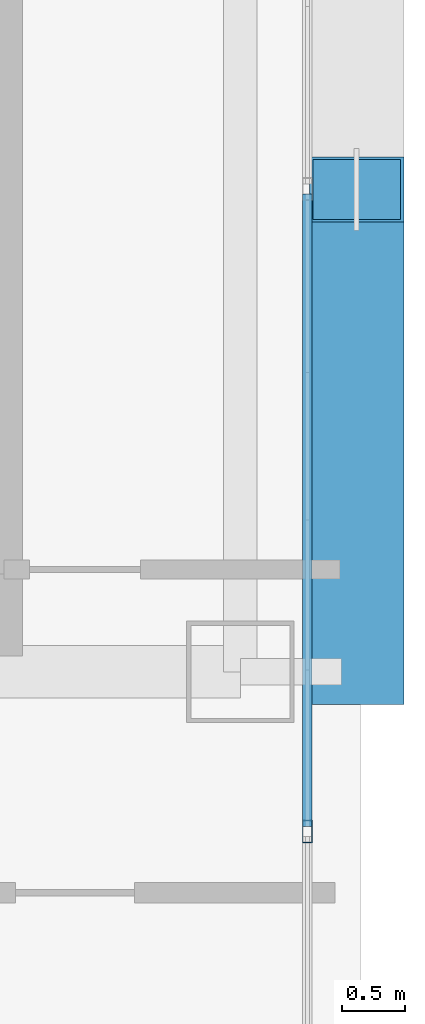
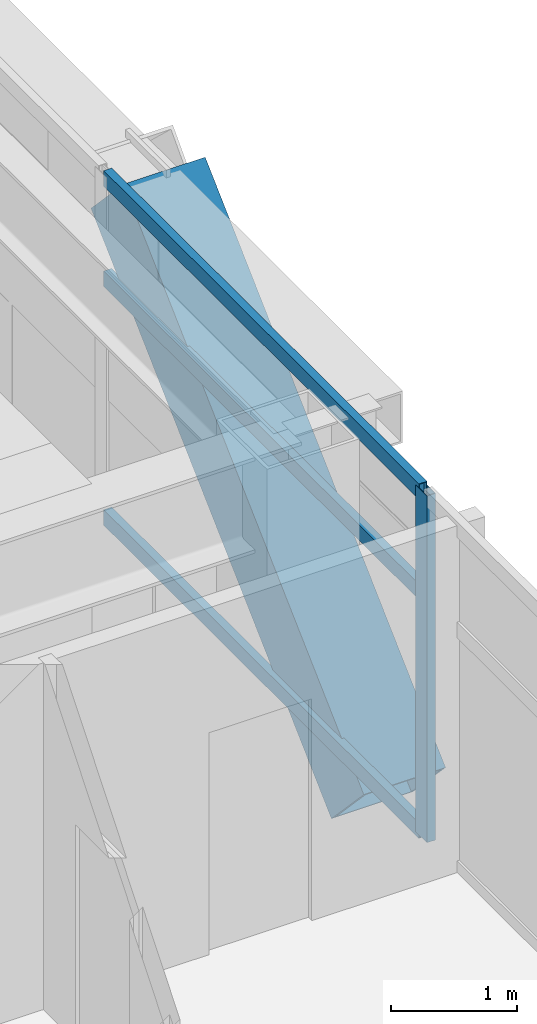
# One storey, part 14 of 39: 5 members, 1 element without a shape of its own.
"""IFC4 building model written with IfcOpenShell, lengths in metres."""

from ifc_helpers import new_model, si_unit, direction, frame, origin, origin_2d, place, context, subcontext, project, spatial, hollow_rectangle, extrude, source, transform, mapped, material, layer, layer_set, material_profile, profile_set, type_object, element, aggregate, save


model = new_model("IFC4")

# Units and contexts
model_context = context("Model", 3, precision=1e-05, world=origin(), true_north=direction((0.0, 1.0)))
body_context = subcontext(model_context, "Body", "Model", "MODEL_VIEW")
ifc_project = project(units=[si_unit("LENGTHUNIT", "METRE"), si_unit("AREAUNIT", "SQUARE_METRE"), si_unit("VOLUMEUNIT", "CUBIC_METRE"), si_unit("PLANEANGLEUNIT", "RADIAN"), si_unit("MASSUNIT", "GRAM", prefix="KILO")], contexts=[model_context])

# Site, building, storey
site_placement = place(None, origin())
site = spatial("IfcSite", under=ifc_project, at=site_placement, CompositionType="ELEMENT")
building_placement = place(site_placement, origin())
building = spatial("IfcBuilding", under=site, at=building_placement, Name="Ocotamira Hotel", CompositionType="ELEMENT")
storey_placement = place(building_placement, frame((0.0, 0.0, 126.0)))
storey = spatial("IfcBuildingStorey", under=building, at=storey_placement, Name="L31", CompositionType="ELEMENT", Elevation=126.0)

# Member
ifc_material_1 = material(Name="Pale-metal coated steel ASTM A913 Grade 65", Category="steel")
ifc_material_profile_1 = material_profile(ifc_material_1, hollow_rectangle(XDim=0.75, YDim=0.75, WallThickness=0.028076171875, at=origin_2d()), Name="BOX750X750X28")
ifc_profile_set_1 = profile_set([ifc_material_profile_1], Name="Pale-metal coated steel ASTM A913 Grade 65")
member_type_1 = type_object("IfcMemberType", Name="MEM-EXO-BOX750", PredefinedType="BRACE", material=ifc_profile_set_1)
shared_shape_1 = source(origin(), body_context, "Body", "SweptSolid", [
    extrude(hollow_rectangle(XDim=0.75, YDim=0.75, WallThickness=0.028076171875, at=origin_2d()), origin(), (0.0, 0.0, 1.0), 5.24658203125),
])
member_1_placement = place(storey_placement, frame((55.969970703125, 14.550048828125, -0.489990234375), z_axis=(0.0, 0.727442733726, 0.686168397078), x_axis=(-1.0, 0.0, 0.0)))
element("IfcMember", 1, at=member_1_placement, inside=storey, type_object=member_type_1, Name="L31 Exoskeleton Diagrid E0.1", PredefinedType="BRACE", context=body_context, shape_type="MappedRepresentation", body=[
    mapped(shared_shape_1, transform((0.0, 0.0, 0.0), scale=1.0)),
])

# Curtain wall, members
ifc_material_2 = material(Name="Anodised pale-metal aluminium and solar glass", Category="aluminium")
ifc_layer = layer(ifc_material_2, 0.179931640625)
ifc_layer_set = layer_set([ifc_layer], Name="Anodised pale-metal aluminium and solar glass")
curtain_wall_type = type_object("IfcCurtainWallType", Name="CW-SYS3-Z2", PredefinedType="NOTDEFINED", material=ifc_layer_set)
curtain_wall_placement = place(storey_placement, origin())
curtain_wall = element("IfcCurtainWall", 2, at=curtain_wall_placement, inside=storey, type_object=curtain_wall_type, Name="L31 Curtain Wall CW-3 CW-L31-E", PredefinedType="NOTDEFINED")
ifc_material_3 = material(Name="Anodised pale-metal aluminium 6063-T6", Category="aluminium")
ifc_material_profile_2 = material_profile(ifc_material_3, hollow_rectangle(XDim=0.074951171875, YDim=0.14990234375, WallThickness=0.006103515625, at=origin_2d()), Name="HSS150X75X6")
ifc_profile_set_2 = profile_set([ifc_material_profile_2], Name="Anodised pale-metal aluminium 6063-T6")
member_type_2 = type_object("IfcMemberType", Name="CWT-150X75", PredefinedType="USERDEFINED", material=ifc_profile_set_2)
shared_shape_2 = source(origin(), body_context, "Body", "SweptSolid", [
    extrude(hollow_rectangle(XDim=0.074951171875, YDim=0.14990234375, WallThickness=0.006103515625, at=origin_2d()), origin(), (0.0, 0.0, 1.0), 5.005859375),
])
member_2_placement = place(storey_placement, frame((55.580078125, 13.32568359375, 0.03759765625), z_axis=(0.0, 1.0, 0.0), x_axis=(-1.0, 0.0, 0.0)))
member_2 = element("IfcMember", 3, at=member_2_placement, type_object=member_type_2, Name="CW-3 transom 2.1", ObjectType="TRANSOM", PredefinedType="USERDEFINED", context=body_context, shape_type="MappedRepresentation", body=[
    mapped(shared_shape_2, transform((0.0, 0.0, 0.0), scale=1.0)),
])
member_3_placement = place(storey_placement, frame((55.580078125, 13.32568359375, 2.35009765625), z_axis=(0.0, 1.0, 0.0), x_axis=(-1.0, 0.0, 0.0)))
member_3 = element("IfcMember", 4, at=member_3_placement, type_object=member_type_2, Name="CW-3 transom 2.2", ObjectType="TRANSOM", PredefinedType="USERDEFINED", context=body_context, shape_type="MappedRepresentation", body=[
    mapped(shared_shape_2, transform((0.0, 0.0, 0.0), scale=1.0)),
])
member_4_placement = place(storey_placement, frame((55.580078125, 13.32568359375, 3.322509765625), z_axis=(0.0, 1.0, 0.0), x_axis=(-1.0, 0.0, 0.0)))
member_4 = element("IfcMember", 5, at=member_4_placement, type_object=member_type_2, Name="CW-3 transom 2.3", ObjectType="TRANSOM", PredefinedType="USERDEFINED", context=body_context, shape_type="MappedRepresentation", body=[
    mapped(shared_shape_2, transform((0.0, 0.0, 0.0), scale=1.0)),
])
ifc_material_profile_3 = material_profile(ifc_material_3, hollow_rectangle(XDim=0.080078125, YDim=0.179931640625, WallThickness=0.006103515625, at=origin_2d()), Name="HSS180X80X6")
ifc_profile_set_3 = profile_set([ifc_material_profile_3], Name="Anodised pale-metal aluminium 6063-T6")
member_type_3 = type_object("IfcMemberType", Name="CWM-180X75", PredefinedType="MULLION", material=ifc_profile_set_3)
shared_shape_3 = source(origin(), body_context, "Body", "SweptSolid", [
    extrude(hollow_rectangle(XDim=0.080078125, YDim=0.179931640625, WallThickness=0.006103515625, at=origin_2d()), origin(), (0.0, 0.0, 1.0), 3.360107421875),
])
member_5_placement = place(storey_placement, frame((55.580078125, 13.28564453125, 0.0), z_axis=(0.0, 0.0, 1.0), x_axis=(-1.0, 0.0, 0.0)))
member_5 = element("IfcMember", 6, at=member_5_placement, type_object=member_type_3, Name="CW-3 mullion 2", PredefinedType="MULLION", context=body_context, shape_type="MappedRepresentation", body=[
    mapped(shared_shape_3, transform((0.0, 0.0, 0.0), scale=1.0)),
])
aggregate(curtain_wall, [member_5, member_2, member_3, member_4])

save(model, "model.ifc")
